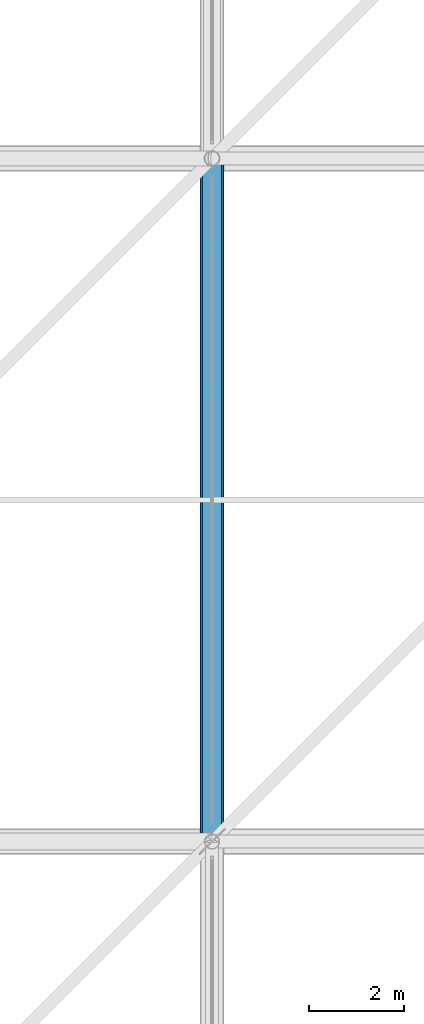
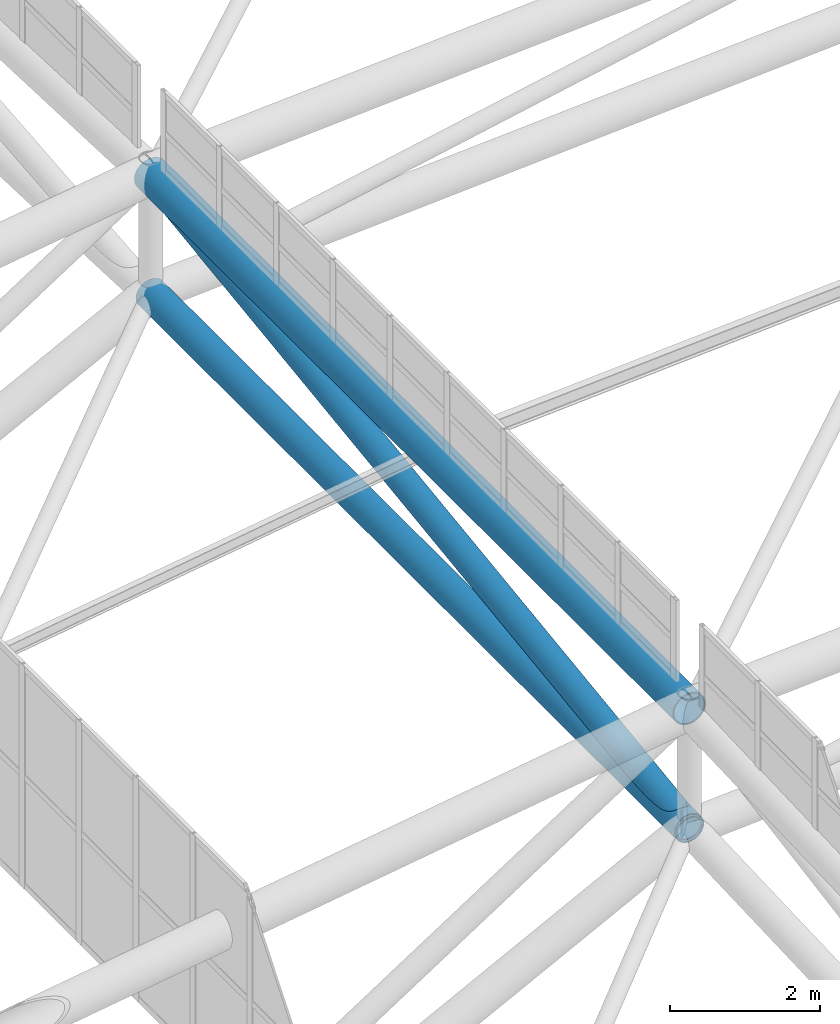
# One storey, part 182 of 397: 2 beams, 1 member.
"""IFC4 building model written with IfcOpenShell, lengths in metres."""

import ifcopenshell
import ifcopenshell.guid

model = None  # the IFC model being written
_history = None  # IfcOwnerHistory: only IFC2X3 demands one
_inside = {}  # id of a spatial element -> (the spatial element, [elements in it])
_under = {}  # id of a project, library or spatial element -> (it, [spatial elements below it])
_declared = {}  # id of a project -> (the project, [libraries it declares])
_typed = {}  # id of a type object -> (the type object, [elements of that type])
_made_of = {}  # id of a material, layer set ... -> (it, [elements and type objects made of it])


def new_model(schema):
    """Start an empty IFC model of exactly this schema.

    Asked for "IFC4X3", IfcOpenShell would pick the latest addendum, in which some entities
    have other attributes; the version numbers below select the first issue.
    IFC2X3 requires an IfcOwnerHistory on every rooted entity: one is made here for all.
    """
    global model, _history
    if schema == "IFC4X3":
        model = ifcopenshell.file(schema_version=(4, 3, 0, 0))
    else:
        model = ifcopenshell.file(schema=schema)
    _inside.clear()
    _under.clear()
    _declared.clear()
    _typed.clear()
    _made_of.clear()
    _history = None
    if model.schema == "IFC2X3":
        org = make("IfcOrganization", Name="unknown")
        user = make(
            "IfcPersonAndOrganization",
            ThePerson=make("IfcPerson", FamilyName="unknown"),
            TheOrganization=org,
        )
        app = make(
            "IfcApplication",
            ApplicationDeveloper=org,
            Version="unknown",
            ApplicationFullName="unknown",
            ApplicationIdentifier="unknown",
        )
        _history = make(
            "IfcOwnerHistory",
            OwningUser=user,
            OwningApplication=app,
            ChangeAction="ADDED",
            CreationDate=0,
        )
    return model


def make(cls, **values):
    """One entity of the class cls with the attributes given. An attribute that is None is left unset."""
    return model.create_entity(
        cls, **{name: value for name, value in values.items() if value is not None}
    )


def rooted(cls, **values):
    """An entity with a GlobalId (a new one), such as an element, a storey or a relation."""
    return make(cls, GlobalId=ifcopenshell.guid.new(), OwnerHistory=_history, **values)


def si_unit(unit_type, name, prefix=None):
    """IfcSIUnit, for example si_unit("LENGTHUNIT", "METRE", prefix="MILLI")."""
    return make("IfcSIUnit", UnitType=unit_type, Prefix=prefix, Name=name)


def assignment(units):
    """IfcUnitAssignment: the units of a project."""
    return None if units is None else make("IfcUnitAssignment", Units=units)


def point(xyz):
    """IfcCartesianPoint."""
    return None if xyz is None else make("IfcCartesianPoint", Coordinates=xyz)


def direction(xyz):
    """IfcDirection."""
    return None if xyz is None else make("IfcDirection", DirectionRatios=xyz)


def frame(location, z_axis=None, x_axis=None):
    """IfcAxis2Placement3D, a coordinate frame: its origin and axes. An axis left out is left unset."""
    return make(
        "IfcAxis2Placement3D",
        Location=point(location),
        Axis=direction(z_axis),
        RefDirection=direction(x_axis),
    )


def frame_2d(location, x_axis=None):
    """IfcAxis2Placement2D, a coordinate frame in the plane: its origin and x axis."""
    return make(
        "IfcAxis2Placement2D", Location=point(location), RefDirection=direction(x_axis)
    )


def origin():
    """The frame at (0, 0, 0) with its axes left unset."""
    return frame((0.0, 0.0, 0.0))


def origin_2d():
    """The frame at (0, 0) in the plane with its x axis left unset."""
    return frame_2d((0.0, 0.0))


def place(relative_to, where):
    """IfcLocalPlacement: puts the frame where relative to a parent placement (None: the world)."""
    return make(
        "IfcLocalPlacement", PlacementRelTo=relative_to, RelativePlacement=where
    )


def context(
    kind, dimensions, precision=None, world=None, true_north=None, identifier=None
):
    """IfcGeometricRepresentationContext, for example the 3D "Model" context."""
    return make(
        "IfcGeometricRepresentationContext",
        ContextIdentifier=identifier,
        ContextType=kind,
        CoordinateSpaceDimension=dimensions,
        Precision=precision,
        WorldCoordinateSystem=world,
        TrueNorth=true_north,
    )


def subcontext(parent, identifier, kind, view, scale=None):
    """IfcGeometricRepresentationSubContext, for example "Body" below "Model"."""
    return make(
        "IfcGeometricRepresentationSubContext",
        ContextIdentifier=identifier,
        ContextType=kind,
        ParentContext=parent,
        TargetScale=scale,
        TargetView=view,
    )


def project(units=None, contexts=None):
    """IfcProject with its units and contexts."""
    return rooted(
        "IfcProject",
        Name="project",
        RepresentationContexts=contexts,
        UnitsInContext=assignment(units),
    )


def spatial(cls, under=None, at=None, **own):
    """A site, building, storey or space (cls), placed at a placement, below another one or the project."""
    s = rooted(cls, ObjectPlacement=at, **own)
    if under is not None:
        _under.setdefault(under.id(), (under, []))[1].append(s)
    return s


def profile(cls, at=None, kind="AREA", **sizes):
    """A parametric profile (cls). Its sizes go by their IFC names, for example OverallWidth=200.0."""
    return make(cls, ProfileType=kind, Position=at, **sizes)


def hollow_circle(**sizes):
    """IfcCircleHollowProfileDef."""
    return profile("IfcCircleHollowProfileDef", **sizes)


def extrude(swept, where, along, depth):
    """IfcExtrudedAreaSolid: the profile swept, set in the frame where, extruded along a direction by depth."""
    return make(
        "IfcExtrudedAreaSolid",
        SweptArea=swept,
        Position=where,
        ExtrudedDirection=direction(along),
        Depth=depth,
    )


def shape(context_of_items, identifier, shape_type, items):
    """IfcShapeRepresentation: the items that make up one representation, for example the "Body"."""
    return make(
        "IfcShapeRepresentation",
        ContextOfItems=context_of_items,
        RepresentationIdentifier=identifier,
        RepresentationType=shape_type,
        Items=items,
    )


def material(Name=None, Category=None):
    """IfcMaterial."""
    return make("IfcMaterial", Name=Name, Category=Category)


def material_profile(
    of_material, cross_section, Name=None, Category=None, Priority=None
):
    """IfcMaterialProfile: a cross section and its material."""
    return make(
        "IfcMaterialProfile",
        Name=Name,
        Material=of_material,
        Profile=cross_section,
        Priority=Priority,
        Category=Category,
    )


def profile_set(profiles, Name=None, composite=None):
    """IfcMaterialProfileSet."""
    return make(
        "IfcMaterialProfileSet",
        Name=Name,
        MaterialProfiles=profiles,
        CompositeProfile=composite,
    )


def made_of(thing, what):
    """Note that an element or type object is made of a material, layer set ...; save() writes the relation."""
    if what is not None:
        _made_of.setdefault(what.id(), (what, []))[1].append(thing)
    return thing


def type_object(cls, material=None, **own):
    """A type object (cls), such as IfcWallType, which elements share."""
    return made_of(rooted(cls, **own), material)


def element(
    cls,
    number,
    at=None,
    inside=None,
    cuts=None,
    type_object=None,
    material=None,
    context=None,
    identifier="Body",
    shape_type=None,
    held_by="IfcProductDefinitionShape",
    body=None,
    shapes=None,
    **own,
):
    """One element of the class cls, such as IfcWall. Its Tag is "e" and its number.

    at: its placement. inside: the storey or other place that contains it. cuts: it is an
    opening in that element (IfcRelVoidsElement). A single representation is given by context,
    identifier, shape_type and body (its items); several are given by shapes. held_by: the class
    of the entity that holds the representations. save() writes the other relations.
    """
    e = rooted(cls, Tag="e%d" % number, ObjectPlacement=at, **own)
    if body is not None:
        shapes = [shape(context, identifier, shape_type, body)]
    if shapes is not None:
        e.Representation = make(held_by, Representations=shapes)
    if inside is not None:
        _inside.setdefault(inside.id(), (inside, []))[1].append(e)
    if cuts is not None:
        rooted(
            "IfcRelVoidsElement", RelatingBuildingElement=cuts, RelatedOpeningElement=e
        )
    if type_object is not None:
        _typed.setdefault(type_object.id(), (type_object, []))[1].append(e)
    return made_of(e, material)


def aggregate(whole, parts):
    """IfcRelAggregates: a whole, such as a stair, and the parts it consists of."""
    return rooted("IfcRelAggregates", RelatingObject=whole, RelatedObjects=parts)


def save(model, path):
    """Write the relations noted so far, then the file.

    IfcRelAggregates (storeys below a building ...), IfcRelContainedInSpatialStructure (elements
    in a storey), IfcRelDefinesByType, IfcRelAssociatesMaterial and IfcRelDeclares: one each for
    every whole, place, type object, material and project.
    """
    for whole, parts in _under.values():
        aggregate(whole, parts)
    for where, things in _inside.values():
        rooted(
            "IfcRelContainedInSpatialStructure",
            RelatedElements=things,
            RelatingStructure=where,
        )
    for kind, things in _typed.values():
        rooted("IfcRelDefinesByType", RelatedObjects=things, RelatingType=kind)
    for what, things in _made_of.values():
        rooted("IfcRelAssociatesMaterial", RelatedObjects=things, RelatingMaterial=what)
    for by, libraries in _declared.values():
        rooted("IfcRelDeclares", RelatingContext=by, RelatedDefinitions=libraries)
    model.write(path)


model = new_model("IFC4")

# Units and contexts
model_context = context("Model", 3, precision=1e-05, world=origin(), true_north=direction((0.0, 1.0)))
body_context = subcontext(model_context, "Body", "Model", "MODEL_VIEW")
ifc_project = project(units=[si_unit("LENGTHUNIT", "METRE"), si_unit("AREAUNIT", "SQUARE_METRE"), si_unit("VOLUMEUNIT", "CUBIC_METRE"), si_unit("PLANEANGLEUNIT", "RADIAN"), si_unit("MASSUNIT", "GRAM", prefix="KILO")], contexts=[model_context])

# Site, building, storey
site_placement = place(None, origin())
site = spatial("IfcSite", under=ifc_project, at=site_placement, CompositionType="ELEMENT")
building_placement = place(site_placement, origin())
building = spatial("IfcBuilding", under=site, at=building_placement, Name="Qandorah Velis Arena", CompositionType="ELEMENT")
storey_placement = place(building_placement, frame((0.0, 0.0, 27.5)))
storey = spatial("IfcBuildingStorey", under=building, at=storey_placement, Name="RF", CompositionType="ELEMENT", Elevation=27.5)

# Beams
ifc_material_1 = material(Name="Steel S355", Category="steel")
ifc_material_profile_1 = material_profile(ifc_material_1, hollow_circle(Radius=0.228515625, WallThickness=0.01611328125, at=origin_2d()), Name="CHS 457x16")
ifc_profile_set_1 = profile_set([ifc_material_profile_1], Name="Steel S355")
beam_type_1 = type_object("IfcBeamType", Name="STR-SFC-CHS457X16", PredefinedType="USERDEFINED", material=ifc_profile_set_1)
beam_1_placement = place(storey_placement, frame((28.800048828125, 57.60009765625, 7.483154296875), z_axis=(0.0, 1.0, 0.0), x_axis=(-1.0, 0.0, 0.0)))
element("IfcBeam", 1, at=beam_1_placement, inside=storey, type_object=beam_type_1, Name="Space frame roof truss bottom chord Y 1.3", ObjectType="ROOF TRUSS", PredefinedType="USERDEFINED", context=body_context, shape_type="SweptSolid", body=[
    extrude(hollow_circle(Radius=0.228515625, WallThickness=0.01611328125, at=origin_2d()), origin(), (0.0, 0.0, 1.0), 14.39990234375),
])
ifc_material_profile_2 = material_profile(ifc_material_1, hollow_circle(Radius=0.25390625, WallThickness=0.02001953125, at=origin_2d()), Name="CHS 508x20")
ifc_profile_set_2 = profile_set([ifc_material_profile_2], Name="Steel S355")
beam_type_2 = type_object("IfcBeamType", Name="STR-SFC-CHS508X20", PredefinedType="USERDEFINED", material=ifc_profile_set_2)
beam_2_placement = place(storey_placement, frame((28.800048828125, 57.60009765625, 9.43310546875), z_axis=(0.0, 1.0, 0.0), x_axis=(-1.0, 0.0, 0.0)))
element("IfcBeam", 2, at=beam_2_placement, inside=storey, type_object=beam_type_2, Name="Space frame roof truss top chord Y 1.3", ObjectType="ROOF TRUSS", PredefinedType="USERDEFINED", context=body_context, shape_type="SweptSolid", body=[
    extrude(hollow_circle(Radius=0.25390625, WallThickness=0.02001953125, at=origin_2d()), origin(), (0.0, 0.0, 1.0), 14.39990234375),
])

# Member
ifc_material_2 = material(Name="Steel S460", Category="steel")
ifc_material_profile_3 = material_profile(ifc_material_2, hollow_circle(Radius=0.203125, WallThickness=0.02001953125, at=origin_2d()), Name="CHS 406.4x20")
ifc_profile_set_3 = profile_set([ifc_material_profile_3], Name="Steel S460")
member_type = type_object("IfcMemberType", Name="STR-SFD-CHS406X20", PredefinedType="STRUT", material=ifc_profile_set_3)
member_placement = place(storey_placement, frame((28.800048828125, 57.60009765625, 7.483154296875), z_axis=(0.0, 0.990955693773, 0.134189466721), x_axis=(-1.0, 0.0, 0.0)))
element("IfcMember", 3, at=member_placement, inside=storey, type_object=member_type, Name="Space frame roof diagonal Y 1.3", PredefinedType="STRUT", context=body_context, shape_type="SweptSolid", body=[
    extrude(hollow_circle(Radius=0.203125, WallThickness=0.02001953125, at=origin_2d()), origin(), (0.0, 0.0, 1.0), 14.53125),
])

save(model, "model.ifc")
